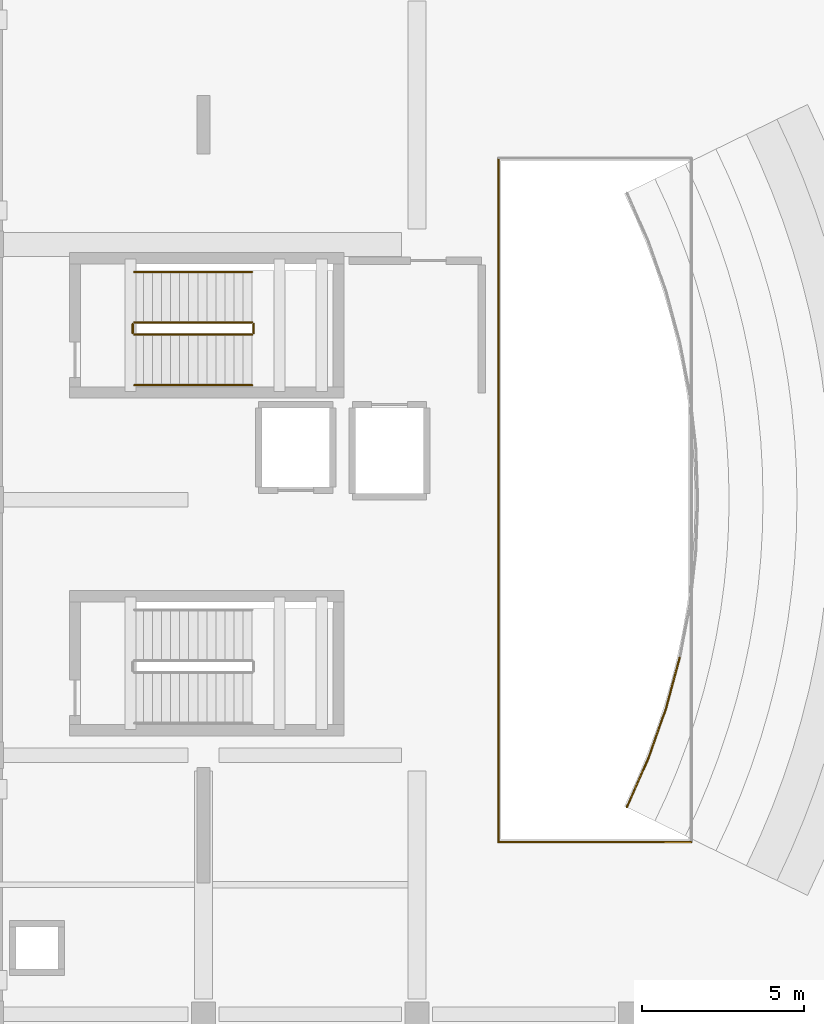
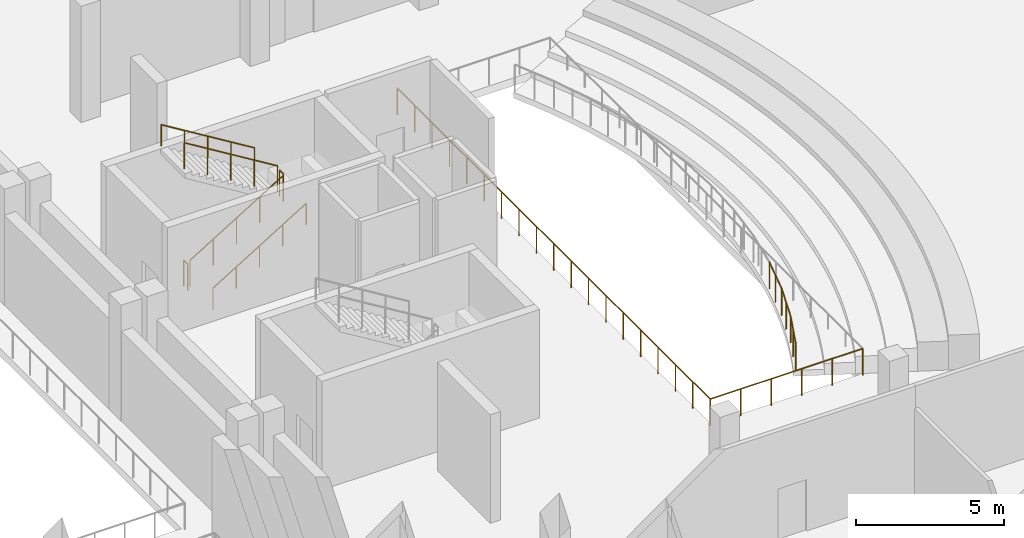
# One storey, part 67 of 73: 11 railings.
"""IFC4 building model written with IfcOpenShell, lengths in metres."""

from ifc_helpers import new_model, si_unit, direction, frame, origin, origin_2d, place, context, subcontext, project, spatial, circle, extrude, material, type_object, element, save


model = new_model("IFC4")

# Units and contexts
model_context = context("Model", 3, precision=1e-05, world=origin(), true_north=direction((0.0, 1.0)))
body_context = subcontext(model_context, "Body", "Model", "MODEL_VIEW")
ifc_project = project(units=[si_unit("LENGTHUNIT", "METRE"), si_unit("AREAUNIT", "SQUARE_METRE"), si_unit("VOLUMEUNIT", "CUBIC_METRE"), si_unit("PLANEANGLEUNIT", "RADIAN"), si_unit("MASSUNIT", "GRAM", prefix="KILO")], contexts=[model_context])

# Site, building, storey
site_placement = place(None, origin())
site = spatial("IfcSite", under=ifc_project, at=site_placement, CompositionType="ELEMENT")
building_placement = place(site_placement, origin())
building = spatial("IfcBuilding", under=site, at=building_placement, Name="Kelarvand Opera House", CompositionType="ELEMENT")
storey_placement = place(building_placement, frame((0.0, 0.0, 10.199951171875)))
storey = spatial("IfcBuildingStorey", under=building, at=storey_placement, Name="L02", CompositionType="ELEMENT", Elevation=10.199951171875)

# Railings
ifc_material_1 = material(Name="Brushed bronze tubular rail")
railing_type_1 = type_object("IfcRailingType", Name="Brushed Bronze Stair Wall Handrail 900", PredefinedType="HANDRAIL", material=ifc_material_1)
railing_1_placement = place(storey_placement, frame((93.4599609375, 66.050048828125, 0.17138671875)))
element("IfcRailing", 1, at=railing_1_placement, inside=storey, type_object=railing_type_1, Name="L02 ST-01 stair handrail 1", PredefinedType="HANDRAIL", context=body_context, shape_type="SweptSolid", body=[
    extrude(circle(Radius=0.02392578125, at=origin_2d()), frame((0.0, 0.0, 0.8759765625), z_axis=(0.852840387347, 0.0, 0.522171689878), x_axis=(0.0, 1.0, 0.0)), (0.0, 0.0, 1.0), 4.268310546875),
    extrude(circle(Radius=0.02099609375, at=origin_2d()), origin(), (0.0, 0.0, 1.0), 0.851806640625),
    extrude(circle(Radius=0.02099609375, at=origin_2d()), frame((0.91015625, 0.0, 0.55712890625)), (0.0, 0.0, 1.0), 0.851806640625),
    extrude(circle(Radius=0.02099609375, at=origin_2d()), frame((1.820068359375, 0.0, 1.1142578125)), (0.0, 0.0, 1.0), 0.851806640625),
    extrude(circle(Radius=0.02099609375, at=origin_2d()), frame((2.72998046875, 0.0, 1.671630859375)), (0.0, 0.0, 1.0), 0.851806640625),
    extrude(circle(Radius=0.02099609375, at=origin_2d()), frame((3.64013671875, 0.0, 2.228759765625)), (0.0, 0.0, 1.0), 0.851806640625),
])
railing_2_placement = place(storey_placement, frame((97.10009765625, 69.550048828125, 2.571533203125)))
element("IfcRailing", 2, at=railing_2_placement, inside=storey, type_object=railing_type_1, Name="L02 ST-01 stair handrail 2", PredefinedType="HANDRAIL", context=body_context, shape_type="SweptSolid", body=[
    extrude(circle(Radius=0.02392578125, at=origin_2d()), frame((0.0, 0.0, 0.8759765625), z_axis=(-0.852865859571, 0.0, 0.52213008492), x_axis=(0.0, -1.0, 0.0)), (0.0, 0.0, 1.0), 4.26806640625),
    extrude(circle(Radius=0.02099609375, at=origin_2d()), origin(), (0.0, 0.0, 1.0), 0.851806640625),
    extrude(circle(Radius=0.02099609375, at=origin_2d()), frame((-0.91015625, 0.0, 0.55712890625)), (0.0, 0.0, 1.0), 0.851806640625),
    extrude(circle(Radius=0.02099609375, at=origin_2d()), frame((-1.820068359375, 0.0, 1.1142578125)), (0.0, 0.0, 1.0), 0.851806640625),
    extrude(circle(Radius=0.02099609375, at=origin_2d()), frame((-2.72998046875, 0.0, 1.67138671875)), (0.0, 0.0, 1.0), 0.851806640625),
    extrude(circle(Radius=0.02099609375, at=origin_2d()), frame((-3.64013671875, 0.0, 2.228515625)), (0.0, 0.0, 1.0), 0.851806640625),
])
ifc_material_2 = material(Name="Laminated safety glass with bronze cap rail", Category="glass")
railing_type_2 = type_object("IfcRailingType", Name="Laminated Glass and Bronze Foyer Balustrade 1120", PredefinedType="BALUSTRADE", material=ifc_material_2)
railing_3_placement = place(storey_placement, frame((110.679931640625, 51.919921875, 0.0)))
element("IfcRailing", 3, at=railing_3_placement, inside=storey, type_object=railing_type_2, Name="V1 L02 Balustrade 54", PredefinedType="BALUSTRADE", context=body_context, shape_type="SweptSolid", body=[
    extrude(circle(Radius=0.02392578125, at=origin_2d()), frame((0.0, 0.0, 1.09619140625), z_axis=(-1.0, 0.0, 0.0), x_axis=(0.0, -1.0, 0.0)), (0.0, 0.0, 1.0), 5.9599609375),
    extrude(circle(Radius=0.02099609375, at=origin_2d()), origin(), (0.0, 0.0, 1.0), 1.072021484375),
    extrude(circle(Radius=0.02099609375, at=origin_2d()), frame((-1.19189453125, 0.0, 0.0)), (0.0, 0.0, 1.0), 1.072021484375),
    extrude(circle(Radius=0.02099609375, at=origin_2d()), frame((-2.384033203125, 0.0, 0.0)), (0.0, 0.0, 1.0), 1.072021484375),
    extrude(circle(Radius=0.02099609375, at=origin_2d()), frame((-3.575927734375, 0.0, 0.0)), (0.0, 0.0, 1.0), 1.072021484375),
    extrude(circle(Radius=0.02099609375, at=origin_2d()), frame((-4.76806640625, 0.0, 0.0)), (0.0, 0.0, 1.0), 1.072021484375),
    extrude(circle(Radius=0.02099609375, at=origin_2d()), frame((-5.9599609375, 0.0, 0.0)), (0.0, 0.0, 1.0), 1.072021484375),
])
railing_4_placement = place(storey_placement, frame((104.719970703125, 51.919921875, 0.0)))
element("IfcRailing", 4, at=railing_4_placement, inside=storey, type_object=railing_type_2, Name="V1 L02 Balustrade 55", PredefinedType="BALUSTRADE", context=body_context, shape_type="SweptSolid", body=[
    extrude(circle(Radius=0.02392578125, at=origin_2d()), frame((0.0, 0.0, 1.09619140625), z_axis=(0.0, 1.0, 0.0), x_axis=(-1.0, 0.0, 0.0)), (0.0, 0.0, 1.0), 21.16015625),
    extrude(circle(Radius=0.02099609375, at=origin_2d()), origin(), (0.0, 0.0, 1.0), 1.072021484375),
    extrude(circle(Radius=0.02099609375, at=origin_2d()), frame((0.0, 1.175537109375, 0.0)), (0.0, 0.0, 1.0), 1.072021484375),
    extrude(circle(Radius=0.02099609375, at=origin_2d()), frame((0.0, 2.35107421875, 0.0)), (0.0, 0.0, 1.0), 1.072021484375),
    extrude(circle(Radius=0.02099609375, at=origin_2d()), frame((0.0, 3.526611328125, 0.0)), (0.0, 0.0, 1.0), 1.072021484375),
    extrude(circle(Radius=0.02099609375, at=origin_2d()), frame((0.0, 4.7021484375, 0.0)), (0.0, 0.0, 1.0), 1.072021484375),
    extrude(circle(Radius=0.02099609375, at=origin_2d()), frame((0.0, 5.8779296875, 0.0)), (0.0, 0.0, 1.0), 1.072021484375),
    extrude(circle(Radius=0.02099609375, at=origin_2d()), frame((0.0, 7.053466796875, 0.0)), (0.0, 0.0, 1.0), 1.072021484375),
    extrude(circle(Radius=0.02099609375, at=origin_2d()), frame((0.0, 8.22900390625, 0.0)), (0.0, 0.0, 1.0), 1.072021484375),
    extrude(circle(Radius=0.02099609375, at=origin_2d()), frame((0.0, 9.404541015625, 0.0)), (0.0, 0.0, 1.0), 1.072021484375),
    extrude(circle(Radius=0.02099609375, at=origin_2d()), frame((0.0, 10.580078125, 0.0)), (0.0, 0.0, 1.0), 1.072021484375),
    extrude(circle(Radius=0.02099609375, at=origin_2d()), frame((0.0, 11.755615234375, 0.0)), (0.0, 0.0, 1.0), 1.072021484375),
    extrude(circle(Radius=0.02099609375, at=origin_2d()), frame((0.0, 12.93115234375, 0.0)), (0.0, 0.0, 1.0), 1.072021484375),
    extrude(circle(Radius=0.02099609375, at=origin_2d()), frame((0.0, 14.106689453125, 0.0)), (0.0, 0.0, 1.0), 1.072021484375),
    extrude(circle(Radius=0.02099609375, at=origin_2d()), frame((0.0, 15.2822265625, 0.0)), (0.0, 0.0, 1.0), 1.072021484375),
    extrude(circle(Radius=0.02099609375, at=origin_2d()), frame((0.0, 16.4580078125, 0.0)), (0.0, 0.0, 1.0), 1.072021484375),
    extrude(circle(Radius=0.02099609375, at=origin_2d()), frame((0.0, 17.633544921875, 0.0)), (0.0, 0.0, 1.0), 1.072021484375),
    extrude(circle(Radius=0.02099609375, at=origin_2d()), frame((0.0, 18.80908203125, 0.0)), (0.0, 0.0, 1.0), 1.072021484375),
    extrude(circle(Radius=0.02099609375, at=origin_2d()), frame((0.0, 19.984619140625, 0.0)), (0.0, 0.0, 1.0), 1.072021484375),
    extrude(circle(Radius=0.02099609375, at=origin_2d()), frame((0.0, 21.16015625, 0.0)), (0.0, 0.0, 1.0), 1.072021484375),
])
railing_5_placement = place(storey_placement, frame((108.685791015625, 52.99609375, 0.239990234375)))
element("IfcRailing", 5, at=railing_5_placement, inside=storey, type_object=railing_type_2, Name="V1 L02 Balustrade 177", PredefinedType="BALUSTRADE", context=body_context, shape_type="SweptSolid", body=[
    extrude(circle(Radius=0.02392578125, at=origin_2d()), frame((0.0, 0.0, 1.09619140625), z_axis=(0.40417543863, 0.914681482707, 0.0), x_axis=(-0.914681482707, 0.40417543863, 0.0)), (0.0, 0.0, 1.0), 1.639404296875),
    extrude(circle(Radius=0.02099609375, at=origin_2d()), origin(), (0.0, 0.0, 1.0), 1.072021484375),
    extrude(circle(Radius=0.02099609375, at=origin_2d()), frame((0.331298828125, 0.749755859375, 0.0)), (0.0, 0.0, 1.0), 1.072021484375),
    extrude(circle(Radius=0.02099609375, at=origin_2d()), frame((0.66259765625, 1.49951171875, 0.0)), (0.0, 0.0, 1.0), 1.072021484375),
])
railing_6_placement = place(storey_placement, frame((109.348388671875, 54.49560546875, 0.239990234375)))
element("IfcRailing", 6, at=railing_6_placement, inside=storey, type_object=railing_type_2, Name="V1 L02 Balustrade 178", PredefinedType="BALUSTRADE", context=body_context, shape_type="SweptSolid", body=[
    extrude(circle(Radius=0.02392578125, at=origin_2d()), frame((0.0, 0.0, 1.09619140625), z_axis=(0.333731357161, 0.942668224376, 0.0), x_axis=(-0.942668224376, 0.333731357161, 0.0)), (0.0, 0.0, 1.0), 1.639404296875),
    extrude(circle(Radius=0.02099609375, at=origin_2d()), origin(), (0.0, 0.0, 1.0), 1.072021484375),
    extrude(circle(Radius=0.02099609375, at=origin_2d()), frame((0.2734375, 0.772705078125, 0.0)), (0.0, 0.0, 1.0), 1.072021484375),
    extrude(circle(Radius=0.02099609375, at=origin_2d()), frame((0.547119140625, 1.54541015625, 0.0)), (0.0, 0.0, 1.0), 1.072021484375),
])
railing_7_placement = place(storey_placement, frame((109.8955078125, 56.041015625, 0.239990234375)))
element("IfcRailing", 7, at=railing_7_placement, inside=storey, type_object=railing_type_2, Name="V1 L02 Balustrade 179", PredefinedType="BALUSTRADE", context=body_context, shape_type="SweptSolid", body=[
    extrude(circle(Radius=0.02392578125, at=origin_2d()), frame((0.0, 0.0, 1.09619140625), z_axis=(0.261554243036, 0.9651887784, 0.0), x_axis=(-0.9651887784, 0.261554243036, 0.0)), (0.0, 0.0, 1.0), 1.63916015625),
    extrude(circle(Radius=0.02099609375, at=origin_2d()), origin(), (0.0, 0.0, 1.0), 1.072021484375),
    extrude(circle(Radius=0.02099609375, at=origin_2d()), frame((0.21435546875, 0.791015625, 0.0)), (0.0, 0.0, 1.0), 1.072021484375),
    extrude(circle(Radius=0.02099609375, at=origin_2d()), frame((0.4287109375, 1.58203125, 0.0)), (0.0, 0.0, 1.0), 1.072021484375),
])
ifc_material_3 = material(Name="Powder-coated Steel S355", Category="steel")
railing_type_3 = type_object("IfcRailingType", Name="Painted Steel Stair and Void Guardrail 1100", PredefinedType="GUARDRAIL", material=ifc_material_3)
railing_8_placement = place(storey_placement, frame((93.4599609375, 67.610107421875, 0.17138671875)))
element("IfcRailing", 8, at=railing_8_placement, inside=storey, type_object=railing_type_3, Name="L02 ST-01 stair guard 1", PredefinedType="GUARDRAIL", context=body_context, shape_type="SweptSolid", body=[
    extrude(circle(Radius=0.02392578125, at=origin_2d()), frame((0.0, 0.0, 1.076171875), z_axis=(0.852840387347, 0.0, 0.522171689878), x_axis=(0.0, 1.0, 0.0)), (0.0, 0.0, 1.0), 4.268310546875),
    extrude(circle(Radius=0.02099609375, at=origin_2d()), origin(), (0.0, 0.0, 1.0), 1.052001953125),
    extrude(circle(Radius=0.02099609375, at=origin_2d()), frame((0.91015625, 0.0, 0.55712890625)), (0.0, 0.0, 1.0), 1.052001953125),
    extrude(circle(Radius=0.02099609375, at=origin_2d()), frame((1.820068359375, 0.0, 1.1142578125)), (0.0, 0.0, 1.0), 1.052001953125),
    extrude(circle(Radius=0.02099609375, at=origin_2d()), frame((2.72998046875, 0.0, 1.671630859375)), (0.0, 0.0, 1.0), 1.052001953125),
    extrude(circle(Radius=0.02099609375, at=origin_2d()), frame((3.64013671875, 0.0, 2.228759765625)), (0.0, 0.0, 1.0), 1.052001953125),
])
railing_9_placement = place(storey_placement, frame((97.14990234375, 67.659912109375, 2.400146484375)))
element("IfcRailing", 9, at=railing_9_placement, inside=storey, type_object=railing_type_3, Name="L02 ST-01 stair guard 2", PredefinedType="GUARDRAIL", context=body_context, shape_type="SweptSolid", body=[
    extrude(circle(Radius=0.02392578125, at=origin_2d()), frame((0.0, 0.0, 1.076171875), z_axis=(0.0, 1.0, 0.0), x_axis=(-1.0, 0.0, 0.0)), (0.0, 0.0, 1.0), 0.280029296875),
    extrude(circle(Radius=0.02099609375, at=origin_2d()), origin(), (0.0, 0.0, 1.0), 1.052001953125),
    extrude(circle(Radius=0.02099609375, at=origin_2d()), frame((0.0, 0.280029296875, 0.0)), (0.0, 0.0, 1.0), 1.052001953125),
])
railing_10_placement = place(storey_placement, frame((97.10009765625, 67.989990234375, 2.571533203125)))
element("IfcRailing", 10, at=railing_10_placement, inside=storey, type_object=railing_type_3, Name="L02 ST-01 stair guard 3", PredefinedType="GUARDRAIL", context=body_context, shape_type="SweptSolid", body=[
    extrude(circle(Radius=0.02392578125, at=origin_2d()), frame((0.0, 0.0, 1.076171875), z_axis=(-0.852865859571, 0.0, 0.52213008492), x_axis=(0.0, -1.0, 0.0)), (0.0, 0.0, 1.0), 4.26806640625),
    extrude(circle(Radius=0.02099609375, at=origin_2d()), origin(), (0.0, 0.0, 1.0), 1.052001953125),
    extrude(circle(Radius=0.02099609375, at=origin_2d()), frame((-0.91015625, 0.0, 0.55712890625)), (0.0, 0.0, 1.0), 1.052001953125),
    extrude(circle(Radius=0.02099609375, at=origin_2d()), frame((-1.820068359375, 0.0, 1.1142578125)), (0.0, 0.0, 1.0), 1.052001953125),
    extrude(circle(Radius=0.02099609375, at=origin_2d()), frame((-2.72998046875, 0.0, 1.67138671875)), (0.0, 0.0, 1.0), 1.052001953125),
    extrude(circle(Radius=0.02099609375, at=origin_2d()), frame((-3.64013671875, 0.0, 2.228515625)), (0.0, 0.0, 1.0), 1.052001953125),
])
railing_11_placement = place(storey_placement, frame((93.409912109375, 67.659912109375, 0.0)))
element("IfcRailing", 11, at=railing_11_placement, inside=storey, type_object=railing_type_3, Name="L02 ST-01 stair guard 4", PredefinedType="GUARDRAIL", context=body_context, shape_type="SweptSolid", body=[
    extrude(circle(Radius=0.02392578125, at=origin_2d()), frame((0.0, 0.0, 1.076171875), z_axis=(0.0, 1.0, 0.0), x_axis=(-1.0, 0.0, 0.0)), (0.0, 0.0, 1.0), 0.280029296875),
    extrude(circle(Radius=0.02099609375, at=origin_2d()), origin(), (0.0, 0.0, 1.0), 1.052001953125),
    extrude(circle(Radius=0.02099609375, at=origin_2d()), frame((0.0, 0.280029296875, 0.0)), (0.0, 0.0, 1.0), 1.052001953125),
])

save(model, "model.ifc")
